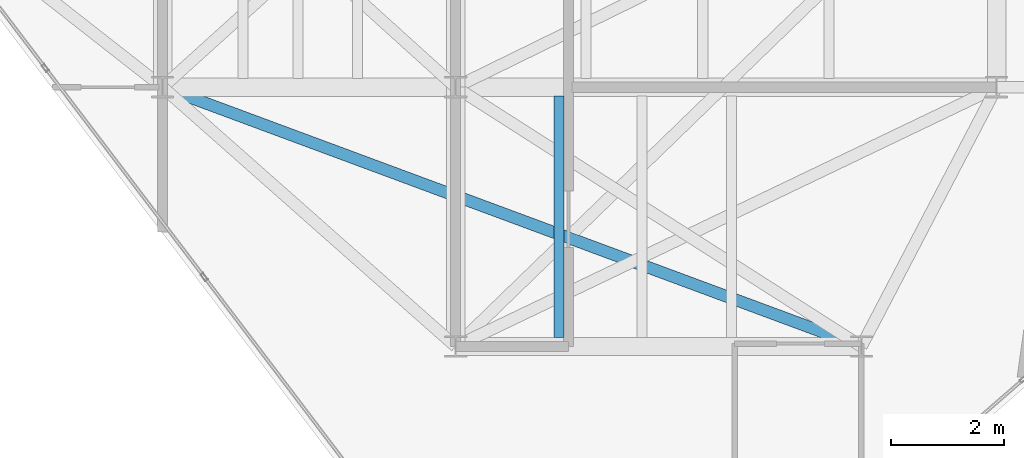
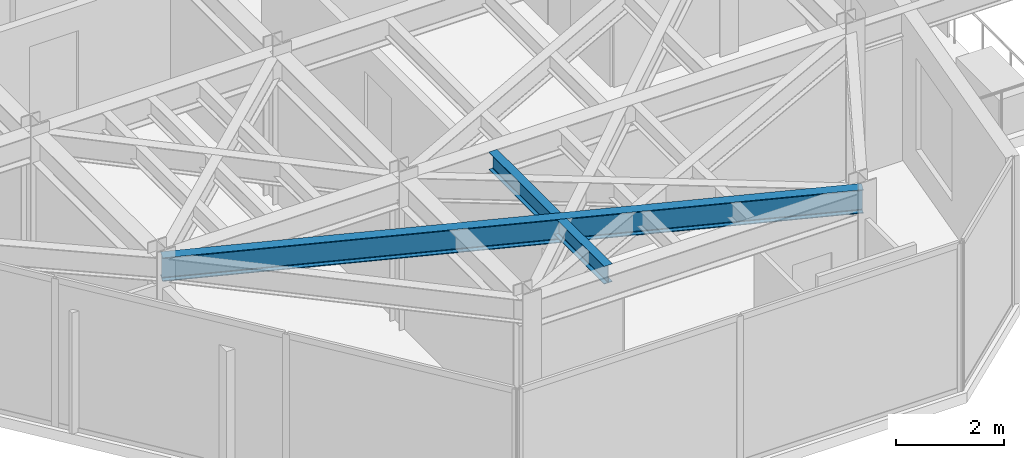
# One storey, part 8 of 16: 2 beams.
"""IFC4 building model written with IfcOpenShell, lengths in metres."""

from ifc_helpers import new_model, si_unit, direction, frame, origin, origin_2d, place, context, subcontext, project, spatial, i_section, extrude, material, material_profile, profile_set, type_object, element, save


model = new_model("IFC4")

# Units and contexts
model_context = context("Model", 3, precision=1e-05, world=origin(), true_north=direction((0.0, 1.0)))
body_context = subcontext(model_context, "Body", "Model", "MODEL_VIEW")
ifc_project = project(units=[si_unit("LENGTHUNIT", "METRE"), si_unit("AREAUNIT", "SQUARE_METRE"), si_unit("VOLUMEUNIT", "CUBIC_METRE"), si_unit("PLANEANGLEUNIT", "RADIAN"), si_unit("MASSUNIT", "GRAM", prefix="KILO")], contexts=[model_context])

# Site, building, storey
site_placement = place(None, origin())
site = spatial("IfcSite", under=ifc_project, at=site_placement, CompositionType="ELEMENT")
building_placement = place(site_placement, origin())
building = spatial("IfcBuilding", under=site, at=building_placement, Name="Kravanh Interchange Tower", CompositionType="ELEMENT")
storey_placement = place(building_placement, frame((0.0, 0.0, 300.300048828125)))
storey = spatial("IfcBuildingStorey", under=building, at=storey_placement, Name="L74", CompositionType="ELEMENT", Elevation=300.300048828125)

# Beams
ifc_material_1 = material(Name="Structural Steel S355", Category="steel")
ifc_material_profile_1 = material_profile(ifc_material_1, i_section(OverallWidth=0.177978515625, OverallDepth=0.406005859375, WebThickness=0.0078125, FlangeThickness=0.0126953125, FilletRadius=0.01611328125, at=origin_2d()), Name="W16X40")
ifc_profile_set_1 = profile_set([ifc_material_profile_1], Name="Structural Steel S355")
beam_type_1 = type_object("IfcBeamType", Name="Floor Joist W16X40 Structural Steel S355", PredefinedType="JOIST", material=ifc_profile_set_1)
beam_1_placement = place(storey_placement, frame((57.830078125, 22.35693359375, 3.161865234375), z_axis=(0.0, 1.0, 0.0), x_axis=(-1.0, 0.0, 0.0)))
element("IfcBeam", 1, at=beam_1_placement, inside=storey, type_object=beam_type_1, Name="L74 Secondary Floor Joist 1", PredefinedType="JOIST", context=body_context, shape_type="SweptSolid", body=[
    extrude(i_section(OverallWidth=0.177978515625, OverallDepth=0.406005859375, WebThickness=0.0078125, FlangeThickness=0.0126953125, FilletRadius=0.01611328125, at=origin_2d()), origin(), (0.0, 0.0, 1.0), 4.2861328125),
])
ifc_material_2 = material(Name="Structural Steel S355", Category="steel")
ifc_material_profile_2 = material_profile(ifc_material_2, i_section(OverallWidth=0.2099609375, OverallDepth=0.537109375, WebThickness=0.010986328125, FlangeThickness=0.017333984375, FilletRadius=0.02001953125, at=origin_2d()), Name="W21X68")
ifc_profile_set_2 = profile_set([ifc_material_profile_2], Name="Structural Steel S355")
beam_type_2 = type_object("IfcBeamType", Name="Floor Spandrel W21X68 Structural Steel S355", PredefinedType="SPANDREL", material=ifc_profile_set_2)
beam_2_placement = place(storey_placement, frame((50.800048828125, 26.800048828125, 3.096435546875), z_axis=(0.937562917338, -0.347815721372, 0.0), x_axis=(0.347815721372, 0.937562917338, 0.0)))
element("IfcBeam", 2, at=beam_2_placement, inside=storey, type_object=beam_type_2, Name="L74 Perimeter Spandrel 21", PredefinedType="SPANDREL", context=body_context, shape_type="SweptSolid", body=[
    extrude(i_section(OverallWidth=0.2099609375, OverallDepth=0.537109375, WebThickness=0.010986328125, FlangeThickness=0.017333984375, FilletRadius=0.02001953125, at=origin_2d()), origin(), (0.0, 0.0, 1.0), 13.2255859375),
])

save(model, "model.ifc")
